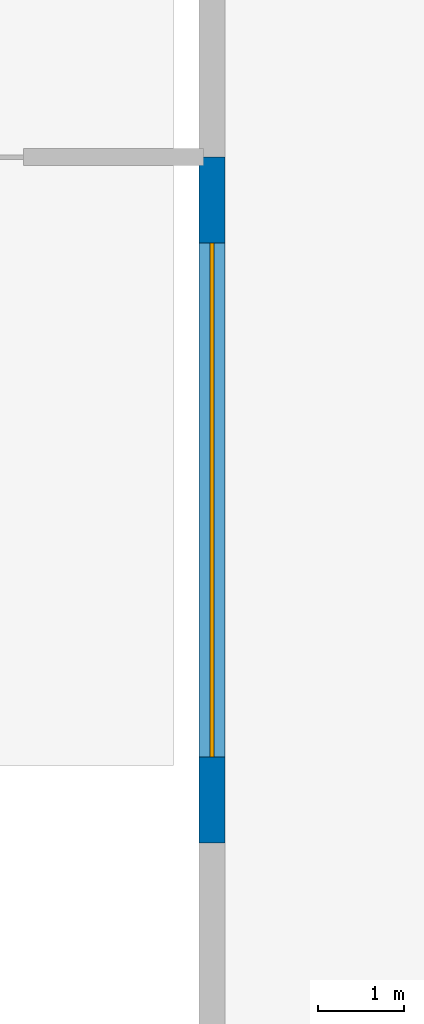
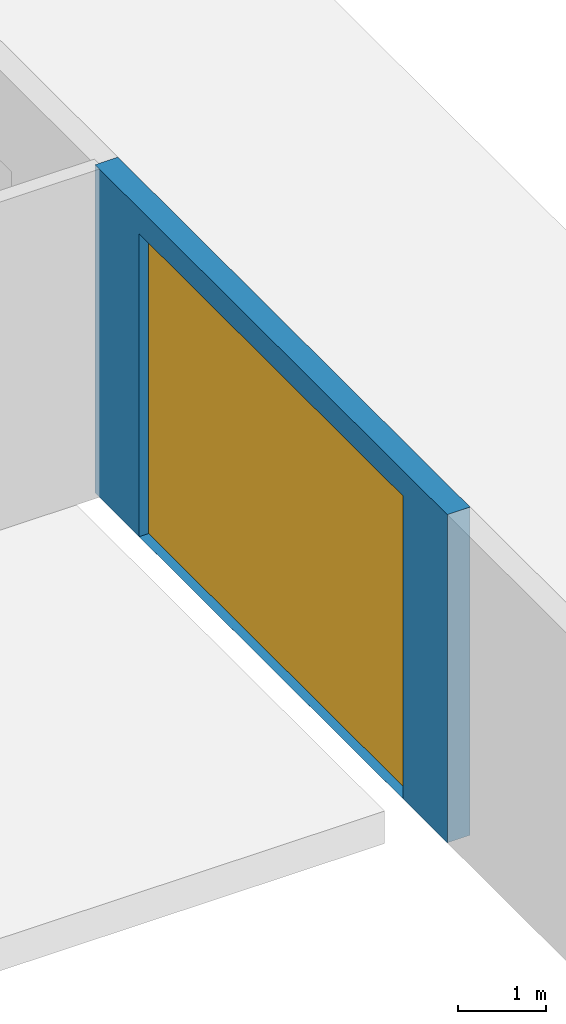
# One storey, part 25 of 57: 1 door, 1 wall, 1 opening.
"""IFC4 building model written with IfcOpenShell, lengths in metres."""

from ifc_helpers import new_model, si_unit, direction, frame, frame_2d, origin, place, context, subcontext, project, spatial, rectangle, extrude, material, layer, layer_set, type_object, element, fill, save


model = new_model("IFC4")

# Units and contexts
model_context = context("Model", 3, precision=1e-05, world=origin(), true_north=direction((0.0, 1.0)))
body_context = subcontext(model_context, "Body", "Model", "MODEL_VIEW")
ifc_project = project(units=[si_unit("LENGTHUNIT", "METRE"), si_unit("AREAUNIT", "SQUARE_METRE"), si_unit("VOLUMEUNIT", "CUBIC_METRE"), si_unit("PLANEANGLEUNIT", "RADIAN"), si_unit("MASSUNIT", "GRAM", prefix="KILO")], contexts=[model_context])

# Site, building, storey
site_placement = place(None, origin())
site = spatial("IfcSite", under=ifc_project, at=site_placement, CompositionType="ELEMENT")
building_placement = place(site_placement, origin())
building = spatial("IfcBuilding", under=site, at=building_placement, Name="Beryl Residences", CompositionType="ELEMENT")
storey_placement = place(building_placement, origin())
storey = spatial("IfcBuildingStorey", under=building, at=storey_placement, Name="L00", CompositionType="ELEMENT", Elevation=0.0)

# Wall, opening, door
ifc_material_1 = material(Name="Composite metal panel with mineral wool insulation")
ifc_layer = layer(ifc_material_1, 0.300048828125)
ifc_layer_set = layer_set([ifc_layer], Name="ES1 pale metal composite panel wall 300 mm")
wall_type = type_object("IfcWallType", Name="ES1 pale metal composite panel wall 300 mm", PredefinedType="SOLIDWALL", material=ifc_layer_set)
wall_placement = place(storey_placement, frame((47.85009765625, -5.0, 0.0), z_axis=(0.0, 0.0, 1.0), x_axis=(0.0, 1.0, 0.0)))
wall = element("IfcWall", 1, at=wall_placement, inside=storey, type_object=wall_type, Name="ES1 entrance wall L00 E", PredefinedType="SOLIDWALL", context=body_context, shape_type="SweptSolid", body=[
    extrude(rectangle(XDim=8.0, YDim=0.300048828125, at=frame_2d((4.0, 0.0))), origin(), (0.0, 0.0, 1.0), 4.550048828125),
])
opening_placement = place(wall_placement, frame((1.0, 0.0, 0.0)))
opening = element("IfcOpeningElement", 2, at=opening_placement, cuts=wall, Name="Opening VG1", PredefinedType="OPENING", context=body_context, shape_type="SweptSolid", body=[
    extrude(rectangle(XDim=6.0, YDim=4.199951171875, at=frame_2d((3.0, 2.10009765625))), frame((0.0, 0.159912109375, 0.0), z_axis=(0.0, -1.0, 0.0), x_axis=(1.0, 0.0, 0.0)), (0.0, 0.0, 1.0), 0.320068359375),
])
ifc_material_2 = material(Name="Galvanised steel", Category="steel")
door_type = type_object("IfcDoorType", Name="VG1 vehicle gate 6000 x 4200 mm", OperationType="ROLLINGUP", PredefinedType="GATE", material=ifc_material_2)
door_placement = place(opening_placement, origin())
door = element("IfcDoor", 3, at=door_placement, inside=storey, type_object=door_type, Name="VG1 vehicle gate L00 E", OperationType="ROLLINGUP", OverallHeight=4.199951171875, OverallWidth=6.0, PredefinedType="GATE", context=body_context, shape_type="SweptSolid", body=[
    extrude(rectangle(XDim=6.0, YDim=4.199951171875, at=frame_2d((3.0, 2.10009765625))), frame((0.0, 0.02490234375, 0.0), z_axis=(0.0, -1.0, 0.0), x_axis=(1.0, 0.0, 0.0)), (0.0, 0.0, 1.0), 0.050048828125),
])
fill(opening, door)

save(model, "model.ifc")
